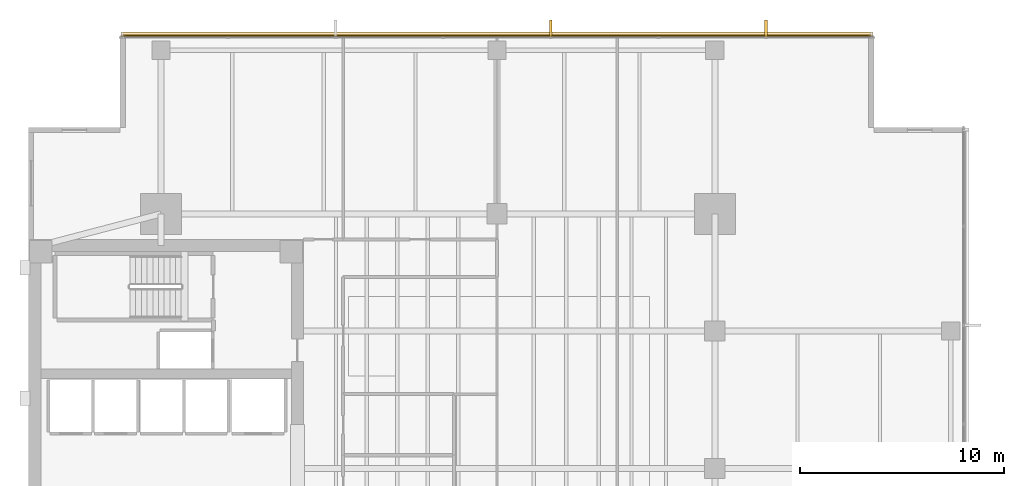
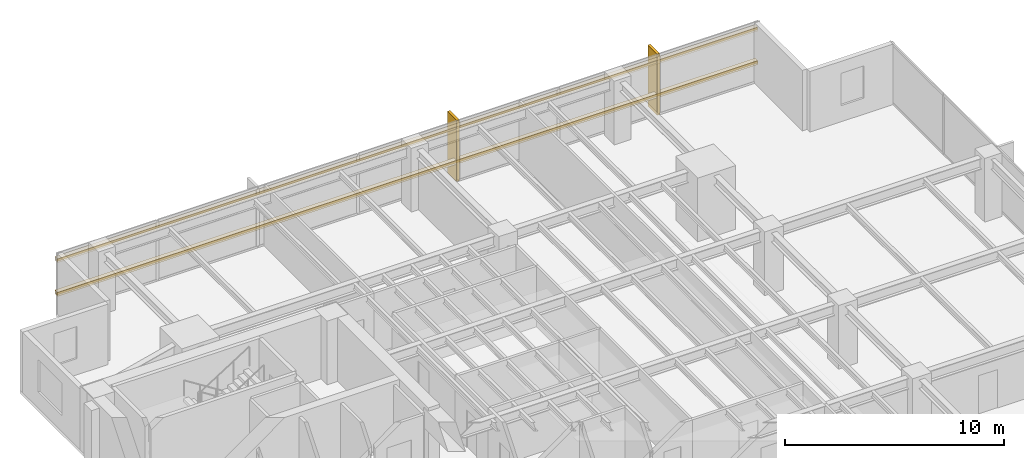
# One storey, part 14 of 14: 4 coverings, 2 shading devices.
"""IFC4 building model written with IfcOpenShell, lengths in metres."""

from ifc_helpers import new_model, si_unit, direction, frame, origin, origin_2d, place, context, subcontext, project, spatial, polyline, rectangle, outline, extrude, material, layer, layer_set, material_profile, profile_set, type_object, element, save


model = new_model("IFC4")

# Units and contexts
model_context = context("Model", 3, precision=1e-05, world=origin(), true_north=direction((0.0, 1.0)))
body_context = subcontext(model_context, "Body", "Model", "MODEL_VIEW")
ifc_project = project(units=[si_unit("LENGTHUNIT", "METRE"), si_unit("AREAUNIT", "SQUARE_METRE"), si_unit("VOLUMEUNIT", "CUBIC_METRE"), si_unit("PLANEANGLEUNIT", "RADIAN"), si_unit("MASSUNIT", "GRAM", prefix="KILO")], contexts=[model_context])

# Site, building, storey
site_placement = place(None, origin())
site = spatial("IfcSite", under=ifc_project, at=site_placement, CompositionType="ELEMENT")
building_placement = place(site_placement, origin())
building = spatial("IfcBuilding", under=site, at=building_placement, Name="Kinhvarn Gate Tower", CompositionType="ELEMENT")
storey_placement = place(building_placement, frame((0.0, 0.0, 144.85009765625)))
storey = spatial("IfcBuildingStorey", under=building, at=storey_placement, Name="L38", CompositionType="ELEMENT", Elevation=144.85009765625)

# Coverings
ifc_material = material(Name="Fired architectural terracotta", Category="masonry")
ifc_layer_1 = layer(ifc_material, 0.239990234375)
ifc_layer_set_1 = layer_set([ifc_layer_1], Name="Fired architectural terracotta")
covering_type_1 = type_object("IfcCoveringType", Name="COV-BAG-220", PredefinedType="CLADDING", material=ifc_layer_set_1)
for number, where, name in (
    (1, (0.0, 0.0, 0.93994140625), "Terracotta Horizontal Sunscreen Band TBG-220 (L38)"),
    (2, (0.0, 0.0, 2.809814453125), "Terracotta Horizontal Sunscreen Band TBG-220 (L38)"),
):
    element("IfcCovering", number, at=place(storey_placement, frame(where)), inside=storey, type_object=covering_type_1, Name=name, PredefinedType="CLADDING", context=body_context, shape_type="SweptSolid", body=[
        extrude(outline(polyline([(45.9599609375, 46.429931640625), (9.0400390625, 46.429931640625), (9.0400390625, 46.669921875), (45.9599609375, 46.669921875), (45.9599609375, 46.429931640625)])), origin(), (0.0, 0.0, 1.0), 0.219970703125),
    ])
ifc_layer_2 = layer(ifc_material, 0.139892578125)
ifc_layer_set_2 = layer_set([ifc_layer_2], Name="Fired architectural terracotta")
covering_type_2 = type_object("IfcCoveringType", Name="COV-FIN-850", PredefinedType="CLADDING", material=ifc_layer_set_2)
covering_1_placement = place(storey_placement, frame((0.0, 0.0, -0.02001953125)))
element("IfcCovering", 3, at=covering_1_placement, inside=storey, type_object=covering_type_2, Name="Vertical Terracotta Expressive Fin TFN-850 (L38)", PredefinedType="CLADDING", context=body_context, shape_type="SweptSolid", body=[
    extrude(outline(polyline([(40.7841796875, 46.419921875), (40.644287109375, 46.419921875), (40.644287109375, 47.27001953125), (40.7841796875, 47.27001953125), (40.7841796875, 46.419921875)])), origin(), (0.0, 0.0, 1.0), 3.409912109375),
])
covering_2_placement = place(storey_placement, frame((0.0, 0.0, -0.02001953125)))
element("IfcCovering", 4, at=covering_2_placement, inside=storey, type_object=covering_type_2, Name="Vertical Terracotta Expressive Fin TFN-850 (L38)", PredefinedType="CLADDING", context=body_context, shape_type="SweptSolid", body=[
    extrude(outline(polyline([(30.212890625, 46.419921875), (30.072998046875, 46.419921875), (30.072998046875, 47.27001953125), (30.212890625, 47.27001953125), (30.212890625, 46.419921875)])), origin(), (0.0, 0.0, 1.0), 3.409912109375),
])

# Shading devices
ifc_material_profile = material_profile(ifc_material, rectangle(XDim=0.050048828125, YDim=0.1201171875, at=origin_2d()), Name="TC 50x120")
ifc_profile_set = profile_set([ifc_material_profile], Name="Fired architectural terracotta")
shading_device_type = type_object("IfcShadingDeviceType", Name="SHD-BAG-140", PredefinedType="USERDEFINED", material=ifc_profile_set)
for number, where, z_axis, x_axis, name in (
    (5, (45.9599609375, 46.5, 1.0498046875), (-1.0, 0.0, 0.0), (0.0, -1.0, 0.0), "Upper Tower Terracotta Baguette Screen Rod 50x120 mm (L38)"),
    (6, (45.9599609375, 46.5, 2.919921875), (-1.0, 0.0, 0.0), (0.0, -1.0, 0.0), "Upper Tower Terracotta Baguette Screen Rod 50x120 mm (L38)"),
):
    element("IfcShadingDevice", number, at=place(storey_placement, frame(where, z_axis=z_axis, x_axis=x_axis)), inside=storey, type_object=shading_device_type, Name=name, ObjectType="BAGUETTE", PredefinedType="USERDEFINED", context=body_context, shape_type="SweptSolid", body=[
        extrude(rectangle(XDim=0.050048828125, YDim=0.1201171875, at=origin_2d()), origin(), (0.0, 0.0, 1.0), 36.919921875),
    ])

save(model, "model.ifc")
